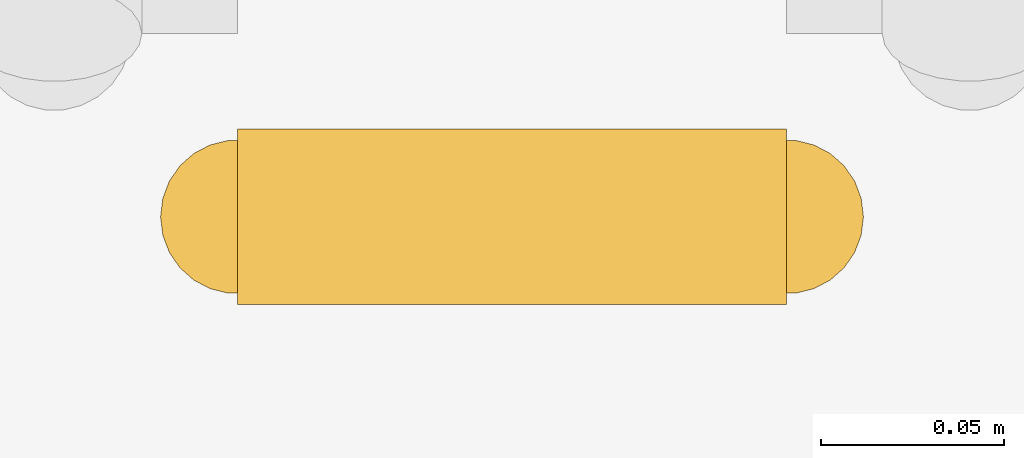
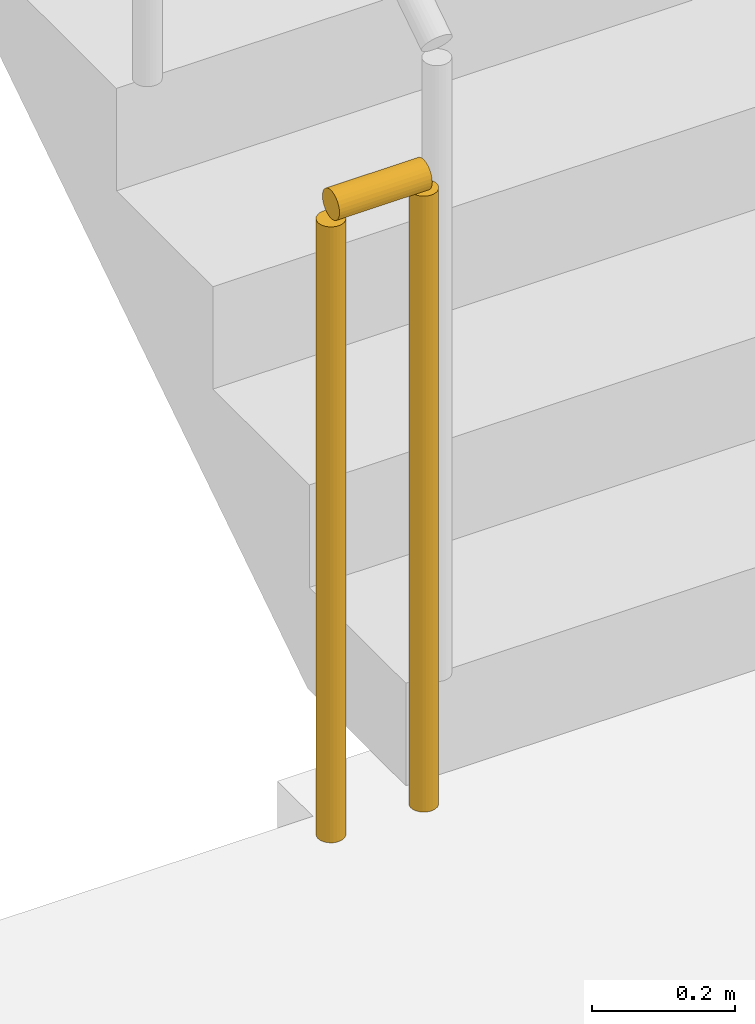
# One storey, part 17 of 20: 1 railing.
"""IFC4 building model written with IfcOpenShell, lengths in metres."""

from ifc_helpers import new_model, si_unit, direction, frame, origin, origin_2d, place, context, subcontext, project, spatial, circle, extrude, material, type_object, element, save


model = new_model("IFC4")

# Units and contexts
model_context = context("Model", 3, precision=1e-05, world=origin(), true_north=direction((0.0, 1.0)))
body_context = subcontext(model_context, "Body", "Model", "MODEL_VIEW")
ifc_project = project(units=[si_unit("LENGTHUNIT", "METRE"), si_unit("AREAUNIT", "SQUARE_METRE"), si_unit("VOLUMEUNIT", "CUBIC_METRE"), si_unit("PLANEANGLEUNIT", "RADIAN"), si_unit("MASSUNIT", "GRAM", prefix="KILO")], contexts=[model_context])

# Site, building, storey
site_placement = place(None, origin())
site = spatial("IfcSite", under=ifc_project, at=site_placement, CompositionType="ELEMENT")
building_placement = place(site_placement, origin())
building = spatial("IfcBuilding", under=site, at=building_placement, Name="Saffron Iwan Residences", CompositionType="ELEMENT")
storey_placement = place(building_placement, frame((0.0, 0.0, 199.0)))
storey = spatial("IfcBuildingStorey", under=building, at=storey_placement, Name="L53", CompositionType="ELEMENT", Elevation=199.0)

# Railing
ifc_material = material(Name="Steel S355", Category="steel")
railing_type = type_object("IfcRailingType", Name="Stair guard 1100", PredefinedType="GUARDRAIL", material=ifc_material)
railing_placement = place(storey_placement, frame((69.699951171875, 67.800048828125, 0.0)))
element("IfcRailing", 1, at=railing_placement, inside=storey, type_object=railing_type, Name="L53 ST-E stair guard 2", PredefinedType="GUARDRAIL", context=body_context, shape_type="SweptSolid", body=[
    extrude(circle(Radius=0.02392578125, at=origin_2d()), frame((0.0, 0.0, 1.076171875), z_axis=(-1.0, 0.0, 0.0), x_axis=(0.0, -1.0, 0.0)), (0.0, 0.0, 1.0), 0.14990234375),
    extrude(circle(Radius=0.02099609375, at=origin_2d()), origin(), (0.0, 0.0, 1.0), 1.052001953125),
    extrude(circle(Radius=0.02099609375, at=origin_2d()), frame((-0.14990234375, 0.0, 0.0)), (0.0, 0.0, 1.0), 1.052001953125),
])

save(model, "model.ifc")
